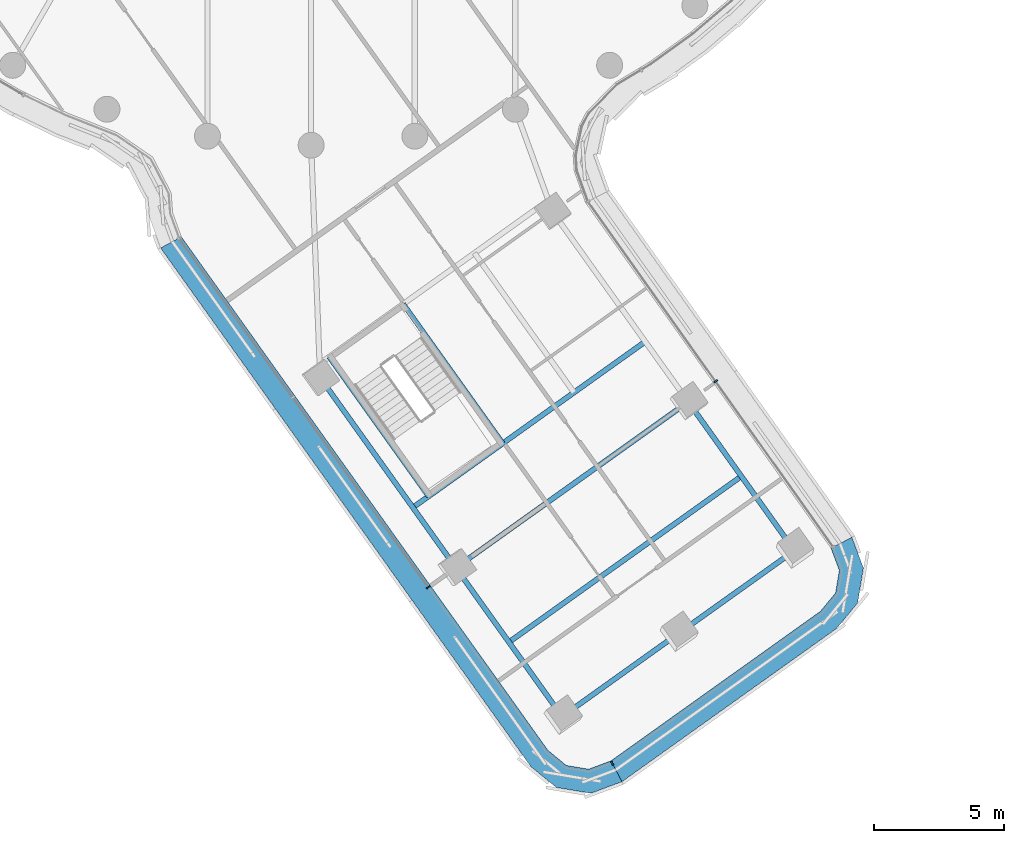
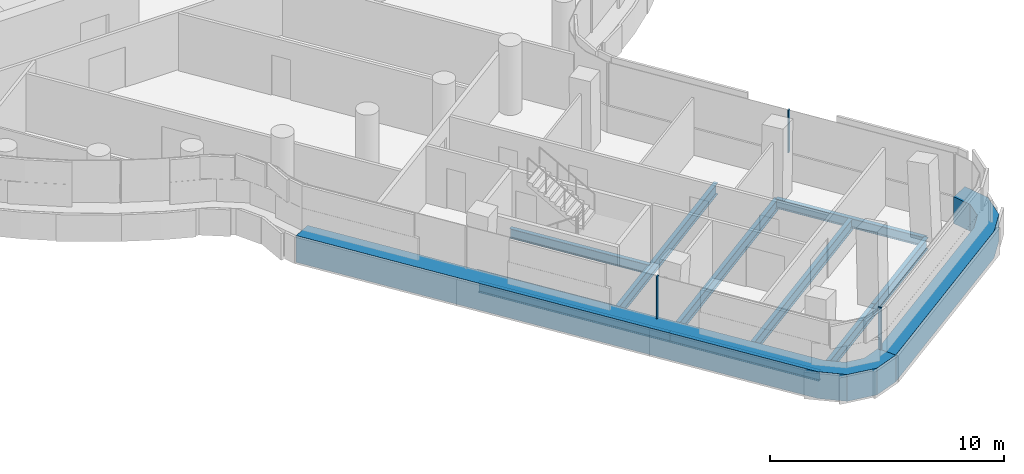
# One storey, part 4 of 31: 10 beams, 5 members, 3 elements without a shape of their own.
"""IFC4 building model written with IfcOpenShell, lengths in metres."""

from ifc_helpers import new_model, si_unit, direction, frame, origin, origin_2d, place, context, subcontext, project, spatial, polyline, rectangle, i_section, outline, extrude, material, layer, layer_set, material_profile, profile_set, type_object, element, aggregate, save


model = new_model("IFC4")

# Units and contexts
model_context = context("Model", 3, precision=1e-05, world=origin(), true_north=direction((0.0, 1.0)))
body_context = subcontext(model_context, "Body", "Model", "MODEL_VIEW")
ifc_project = project(units=[si_unit("LENGTHUNIT", "METRE"), si_unit("AREAUNIT", "SQUARE_METRE"), si_unit("VOLUMEUNIT", "CUBIC_METRE"), si_unit("PLANEANGLEUNIT", "RADIAN"), si_unit("MASSUNIT", "GRAM", prefix="KILO")], contexts=[model_context])

# Site, building, storey
site_placement = place(None, origin())
site = spatial("IfcSite", under=ifc_project, at=site_placement, CompositionType="ELEMENT")
building_placement = place(site_placement, origin())
building = spatial("IfcBuilding", under=site, at=building_placement, Name="Tamarind Cross Interchange Tower", CompositionType="ELEMENT")
storey_placement = place(building_placement, frame((0.0, 0.0, 163.0)))
storey = spatial("IfcBuildingStorey", under=building, at=storey_placement, Name="L40", CompositionType="ELEMENT", Elevation=163.0)

# Beams
ifc_material_1 = material(Name="Steel Q355B", Category="steel")
ifc_material_profile_1 = material_profile(ifc_material_1, i_section(OverallWidth=0.198974609375, OverallDepth=0.49609375, WebThickness=0.009033203125, FlangeThickness=0.013916015625, FilletRadius=0.012939453125, at=origin_2d()), Name="HN 496x199x9x14")
ifc_profile_set_1 = profile_set([ifc_material_profile_1], Name="Steel Q355B")
beam_type_1 = type_object("IfcBeamType", Name="Composite beam HN 496x199x9x14 Q355B", PredefinedType="BEAM", material=ifc_profile_set_1)
beam_1_placement = place(storey_placement, frame((9.66845703125, -45.009033203125, -0.387939453125), z_axis=(-0.581041469135, 0.813873952861, 0.0), x_axis=(-0.813873952861, -0.581041469135, 0.0)))
element("IfcBeam", 1, at=beam_1_placement, inside=storey, type_object=beam_type_1, Name="Beam S-edgeem5", PredefinedType="BEAM", context=body_context, shape_type="SweptSolid", body=[
    extrude(i_section(OverallWidth=0.198974609375, OverallDepth=0.49609375, WebThickness=0.009033203125, FlangeThickness=0.013916015625, FilletRadius=0.012939453125, at=origin_2d()), origin(), (0.0, 0.0, 1.0), 7.044189453125),
])
beam_2_placement = place(storey_placement, frame((5.575439453125, -39.27587890625, -0.387939453125), z_axis=(-0.581027758722, 0.813883740834, 0.0), x_axis=(-0.813883740834, -0.581027758722, 0.0)))
element("IfcBeam", 2, at=beam_2_placement, inside=storey, type_object=beam_type_1, Name="Beam S-edgeem6", PredefinedType="BEAM", context=body_context, shape_type="SweptSolid", body=[
    extrude(i_section(OverallWidth=0.198974609375, OverallDepth=0.49609375, WebThickness=0.009033203125, FlangeThickness=0.013916015625, FilletRadius=0.012939453125, at=origin_2d()), origin(), (0.0, 0.0, 1.0), 9.0),
])
beam_3_placement = place(storey_placement, frame((18.62109375, -38.61767578125, -0.387939453125), z_axis=(-0.581018511297, 0.813890342448, 0.0), x_axis=(-0.813890342448, -0.581018511297, 0.0)))
element("IfcBeam", 3, at=beam_3_placement, inside=storey, type_object=beam_type_1, Name="Beam S-edgeep2", PredefinedType="BEAM", context=body_context, shape_type="SweptSolid", body=[
    extrude(i_section(OverallWidth=0.198974609375, OverallDepth=0.49609375, WebThickness=0.009033203125, FlangeThickness=0.013916015625, FilletRadius=0.012939453125, at=origin_2d()), origin(), (0.0, 0.0, 1.0), 7.044189453125),
])
for number, where, z_axis, x_axis, name in (
    (4, (0.695068359375, -31.14892578125, -0.387939453125), (0.581049225779, -0.813868415176, 0.0), (0.813868415176, 0.581049225779, 0.0), "Beam S-tr0"),
    (5, (3.543701171875, -29.115234375, -0.387939453125), (0.581049225779, -0.813868415176, 0.0), (0.813868415176, 0.581049225779, 0.0), "Beam S-tr1"),
):
    element("IfcBeam", number, at=place(storey_placement, frame(where, z_axis=z_axis, x_axis=x_axis)), inside=storey, type_object=beam_type_1, Name=name, PredefinedType="BEAM", context=body_context, shape_type="SweptSolid", body=[
        extrude(i_section(OverallWidth=0.198974609375, OverallDepth=0.49609375, WebThickness=0.009033203125, FlangeThickness=0.013916015625, FilletRadius=0.012939453125, at=origin_2d()), origin(), (0.0, 0.0, 1.0), 6.60009765625),
    ])
ifc_material_profile_2 = material_profile(ifc_material_1, i_section(OverallWidth=0.199951171875, OverallDepth=0.60009765625, WebThickness=0.010986328125, FlangeThickness=0.01708984375, FilletRadius=0.012939453125, at=origin_2d()), Name="HN 600x200x11x17")
ifc_profile_set_2 = profile_set([ifc_material_profile_2], Name="Steel Q355B")
beam_type_2 = type_object("IfcBeamType", Name="Composite beam HN 600x200x11x17 Q355B", PredefinedType="BEAM", material=ifc_profile_set_2)
for number, where, z_axis, x_axis, name in (
    (6, (9.66845703125, -45.009033203125, -0.43994140625), (0.813889406538, 0.581019822317, 0.0), (-0.581019822317, 0.813889406538, 0.0), "Beam S-tip0"),
    (7, (14.144775390625, -41.8134765625, -0.43994140625), (0.813868415176, 0.581049225779, 0.0), (-0.581049225779, 0.813868415176, 0.0), "Beam S-tip1"),
):
    element("IfcBeam", number, at=place(storey_placement, frame(where, z_axis=z_axis, x_axis=x_axis)), inside=storey, type_object=beam_type_2, Name=name, PredefinedType="BEAM", context=body_context, shape_type="SweptSolid", body=[
        extrude(i_section(OverallWidth=0.199951171875, OverallDepth=0.60009765625, WebThickness=0.010986328125, FlangeThickness=0.01708984375, FilletRadius=0.012939453125, at=origin_2d()), origin(), (0.0, 0.0, 1.0), 5.5),
    ])
beam_4_placement = place(storey_placement, frame((3.919677734375, -36.956298828125, -0.43994140625), z_axis=(0.813878910855, 0.581034524332, 0.0), x_axis=(-0.581034524332, 0.813878910855, 0.0)))
element("IfcBeam", 8, at=beam_4_placement, inside=storey, type_object=beam_type_2, Name="Beam S-x364", PredefinedType="BEAM", context=body_context, shape_type="SweptSolid", body=[
    extrude(i_section(OverallWidth=0.199951171875, OverallDepth=0.60009765625, WebThickness=0.010986328125, FlangeThickness=0.01708984375, FilletRadius=0.012939453125, at=origin_2d()), origin(), (0.0, 0.0, 1.0), 11.0),
])
beam_5_placement = place(storey_placement, frame((5.575439453125, -39.27587890625, -0.43994140625), z_axis=(0.8138864036, 0.581024028793, 0.0), x_axis=(-0.581024028793, 0.8138864036, 0.0)))
element("IfcBeam", 9, at=beam_5_placement, inside=storey, type_object=beam_type_2, Name="Beam S-x393", PredefinedType="BEAM", context=body_context, shape_type="SweptSolid", body=[
    extrude(i_section(OverallWidth=0.199951171875, OverallDepth=0.60009765625, WebThickness=0.010986328125, FlangeThickness=0.01708984375, FilletRadius=0.012939453125, at=origin_2d()), origin(), (0.0, 0.0, 1.0), 11.000244140625),
])
beam_6_placement = place(storey_placement, frame((7.6220703125, -42.142333984375, -0.43994140625), z_axis=(0.813878910855, 0.581034524332, 0.0), x_axis=(-0.581034524332, 0.813878910855, 0.0)))
element("IfcBeam", 10, at=beam_6_placement, inside=storey, type_object=beam_type_2, Name="Beam S-x428", PredefinedType="BEAM", context=body_context, shape_type="SweptSolid", body=[
    extrude(i_section(OverallWidth=0.199951171875, OverallDepth=0.60009765625, WebThickness=0.010986328125, FlangeThickness=0.01708984375, FilletRadius=0.012939453125, at=origin_2d()), origin(), (0.0, 0.0, 1.0), 11.0),
])

# Curtain wall, member
ifc_material_2 = material(Name="Aluminium 6063-T6", Category="aluminium")
ifc_layer = layer(ifc_material_2, 0.159912109375)
ifc_layer_set = layer_set([ifc_layer], Name="Aluminium 6063-T6")
curtain_wall_type = type_object("IfcCurtainWallType", Name="Office curtain wall, 9.0 m bays", PredefinedType="NOTDEFINED", material=ifc_layer_set)
curtain_wall_1_placement = place(storey_placement, origin())
curtain_wall_1 = element("IfcCurtainWall", 11, at=curtain_wall_1_placement, inside=storey, type_object=curtain_wall_type, Name="CWS-L40-00", PredefinedType="NOTDEFINED")
ifc_material_3 = material(Name="Aluminium and insulated spandrel panel", Category="aluminium")
member_type_1 = type_object("IfcMemberType", Name="Floor-edge blade transom", PredefinedType="USERDEFINED", material=ifc_material_3)
member_1_placement = place(storey_placement, origin())
member_1 = element("IfcMember", 12, at=member_1_placement, type_object=member_type_1, Name="CWT-L40-00", ObjectType="TRANSOM", PredefinedType="USERDEFINED", context=body_context, shape_type="SweptSolid", body=[
    extrude(outline(polyline([(11.550048828125, -46.716064453125), (19.62451171875, -40.95166015625), (20.20654296875, -40.2451171875), (20.3505859375, -39.382568359375), (20.029541015625, -38.52490234375), (20.8310546875, -38.099365234375), (21.27783203125, -39.292724609375), (21.054443359375, -40.631103515625), (20.243896484375, -41.615234375), (11.9765625, -47.517333984375), (11.550048828125, -46.716064453125)])), origin(), (0.0, 0.0, 1.0), 1.39990234375),
])

curtain_wall_2_placement = place(storey_placement, origin())
curtain_wall_2 = element("IfcCurtainWall", 13, at=curtain_wall_2_placement, inside=storey, type_object=curtain_wall_type, Name="CWS-L40-15", PredefinedType="NOTDEFINED")
member_2_placement = place(storey_placement, origin())
member_2 = element("IfcMember", 14, at=member_2_placement, type_object=member_type_1, Name="CWT-L40-15", ObjectType="TRANSOM", PredefinedType="USERDEFINED", context=body_context, shape_type="SweptSolid", body=[
    extrude(outline(polyline([(-4.996826171875, -26.531982421875), (9.12353515625, -46.31103515625), (9.830078125, -46.89306640625), (10.692626953125, -47.036865234375), (11.550048828125, -46.716064453125), (11.9765625, -47.517333984375), (10.782470703125, -47.96435546875), (9.444091796875, -47.740966796875), (8.4599609375, -46.930419921875), (-5.80078125, -26.95458984375), (-4.996826171875, -26.531982421875)])), origin(), (0.0, 0.0, 1.0), 1.39990234375),
])

# Member
ifc_material_profile_3 = material_profile(ifc_material_2, rectangle(XDim=0.06005859375, YDim=0.159912109375, at=origin_2d()), Name="Mullion CW1")
ifc_profile_set_3 = profile_set([ifc_material_profile_3], Name="Aluminium 6063-T6")
member_type_2 = type_object("IfcMemberType", Name="Mullion CW1", PredefinedType="MULLION", material=ifc_profile_set_3)
member_3_placement = place(storey_placement, frame((11.597412109375, -46.80517578125, 1.39990234375), z_axis=(0.0, 0.0, 1.0), x_axis=(0.882757423753, 0.469829044238, 0.0)))
member_3 = element("IfcMember", 15, at=member_3_placement, type_object=member_type_2, Name="CWM-L40-00-00", PredefinedType="MULLION", context=body_context, shape_type="SweptSolid", body=[
    extrude(rectangle(XDim=0.06005859375, YDim=0.159912109375, at=origin_2d()), origin(), (0.0, 0.0, 1.0), 2.210205078125),
])

aggregate(curtain_wall_1, [member_3, member_1])

# Curtain wall, member
curtain_wall_3_placement = place(storey_placement, origin())
curtain_wall_3 = element("IfcCurtainWall", 16, at=curtain_wall_3_placement, inside=storey, type_object=curtain_wall_type, Name="CWS-L40-01", PredefinedType="NOTDEFINED")
member_4_placement = place(storey_placement, frame((15.585205078125, -32.096435546875, 1.39990234375), z_axis=(0.0, 0.0, 1.0), x_axis=(-0.579158818828, 0.815214734027, 0.0)))
member_4 = element("IfcMember", 17, at=member_4_placement, type_object=member_type_2, Name="CWM-L40-01-01", PredefinedType="MULLION", context=body_context, shape_type="SweptSolid", body=[
    extrude(rectangle(XDim=0.06005859375, YDim=0.159912109375, at=origin_2d()), origin(), (0.0, 0.0, 1.0), 2.210205078125),
])
aggregate(curtain_wall_3, [member_4])

# Member
member_5_placement = place(storey_placement, frame((4.51220703125, -40.023681640625, 1.39990234375), z_axis=(0.0, 0.0, 1.0), x_axis=(0.581032556811, -0.81388031548, 0.0)))
member_5 = element("IfcMember", 18, at=member_5_placement, type_object=member_type_2, Name="CWM-L40-15-02", PredefinedType="MULLION", context=body_context, shape_type="SweptSolid", body=[
    extrude(rectangle(XDim=0.06005859375, YDim=0.159912109375, at=origin_2d()), origin(), (0.0, 0.0, 1.0), 2.210205078125),
])

aggregate(curtain_wall_2, [member_5, member_2])

save(model, "model.ifc")
